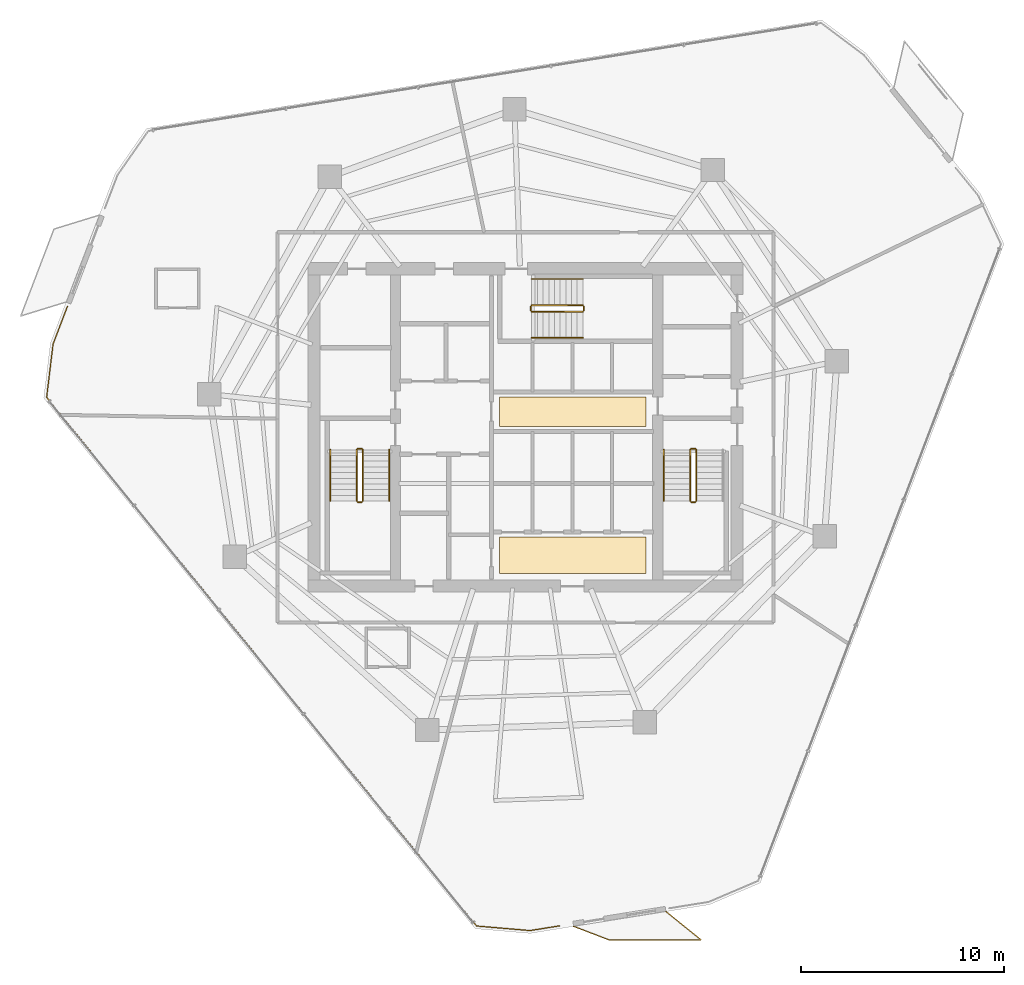
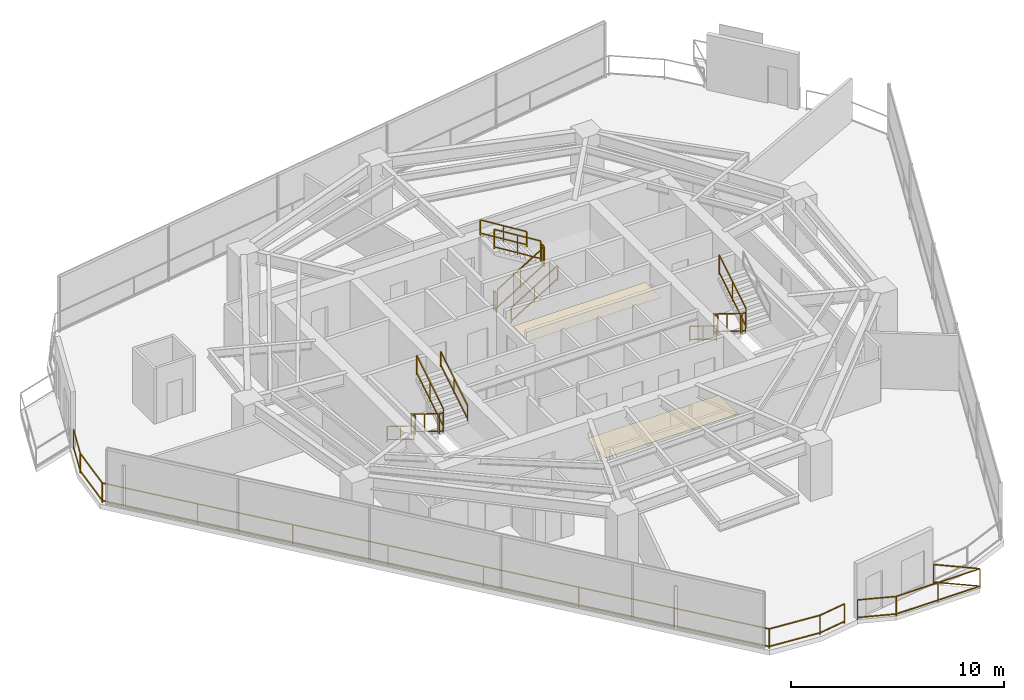
# One storey, part 26 of 27: 19 railings, 2 coverings.
"""IFC4 building model written with IfcOpenShell, lengths in metres."""

from ifc_helpers import new_model, si_unit, direction, frame, origin, origin_2d, place, context, subcontext, project, spatial, rectangle, extrude, material, layer, layer_set, type_object, element, save


model = new_model("IFC4")

# Units and contexts
model_context = context("Model", 3, precision=1e-05, world=origin(), true_north=direction((0.0, 1.0)))
body_context = subcontext(model_context, "Body", "Model", "MODEL_VIEW")
ifc_project = project(units=[si_unit("LENGTHUNIT", "METRE"), si_unit("AREAUNIT", "SQUARE_METRE"), si_unit("VOLUMEUNIT", "CUBIC_METRE"), si_unit("PLANEANGLEUNIT", "RADIAN"), si_unit("MASSUNIT", "GRAM", prefix="KILO")], contexts=[model_context])

# Site, building, storey
site_placement = place(None, origin())
site = spatial("IfcSite", under=ifc_project, at=site_placement, CompositionType="ELEMENT")
building_placement = place(site_placement, origin())
building = spatial("IfcBuilding", under=site, at=building_placement, Name="Qarnah Convention Tower", CompositionType="ELEMENT")
storey_placement = place(building_placement, frame((0.0, 0.0, 100.5)))
storey = spatial("IfcBuildingStorey", under=building, at=storey_placement, Name="L26", CompositionType="ELEMENT", Elevation=100.5)

# Coverings
ifc_material_1 = material(Name="Mineral fibre acoustic ceiling")
ifc_layer_1 = layer(ifc_material_1, 0.02001953125)
ifc_layer_set_1 = layer_set([ifc_layer_1], Name="Mineral fibre acoustic ceiling")
covering_type_1 = type_object("IfcCoveringType", Name="COV-CEIL-20", PredefinedType="CEILING", material=ifc_layer_set_1)
covering_1_placement = place(storey_placement, frame((39.52001953125, 27.179931640625, 2.2900390625), z_axis=(0.0, 0.0, 1.0), x_axis=(1.0, 0.0, 0.0)))
element("IfcCovering", 1, at=covering_1_placement, inside=storey, type_object=covering_type_1, Name="L26 lift lobby acoustic ceiling", PredefinedType="CEILING", context=body_context, shape_type="SweptSolid", body=[
    extrude(rectangle(XDim=7.199951171875, YDim=1.449951171875, at=origin_2d()), origin(), (0.0, 0.0, 1.0), 0.02001953125),
])
ifc_material_2 = material(Name="Porcelain stone floor tile", Category="masonry")
ifc_layer_2 = layer(ifc_material_2, 0.02001953125)
ifc_layer_set_2 = layer_set([ifc_layer_2], Name="Porcelain stone floor tile")
covering_type_2 = type_object("IfcCoveringType", Name="COV-FLOOR-20", PredefinedType="FLOORING", material=ifc_layer_set_2)
covering_2_placement = place(storey_placement, frame((39.52001953125, 20.1201171875, 0.0), z_axis=(0.0, 0.0, 1.0), x_axis=(1.0, 0.0, 0.0)))
element("IfcCovering", 2, at=covering_2_placement, inside=storey, type_object=covering_type_2, Name="L26 lift lobby porcelain stone flooring", PredefinedType="FLOORING", context=body_context, shape_type="SweptSolid", body=[
    extrude(rectangle(XDim=7.199951171875, YDim=1.800048828125, at=origin_2d()), origin(), (0.0, 0.0, 1.0), 0.02001953125),
])

# Railings
ifc_material_3 = material(Name="Black anodised aluminium", Category="aluminium")
railing_type_1 = type_object("IfcRailingType", Name="RL-EXT-GUARD-1150", PredefinedType="GUARDRAIL", material=ifc_material_3)
railing_1_placement = place(storey_placement, frame((38.87890625, 1.886962890625, 0.0)))
element("IfcRailing", 3, at=railing_1_placement, inside=storey, type_object=railing_type_1, Name="L26 slab-edge perimeter safety guard 03", PredefinedType="GUARDRAIL", context=body_context, shape_type="SweptSolid", body=[
    extrude(rectangle(XDim=0.048095703125, YDim=0.048095703125, at=origin_2d()), frame((0.0, 0.0, 1.1259765625), z_axis=(-0.987393158931, -0.158286922064, 0.0), x_axis=(0.158286922064, -0.987393158931, 0.0)), (0.0, 0.0, 1.0), 1.4775390625),
    extrude(rectangle(XDim=0.048095703125, YDim=0.048095703125, at=origin_2d()), frame((0.0, 0.0, 0.1201171875), z_axis=(-0.987393158931, -0.158286922064, 0.0), x_axis=(0.158286922064, -0.987393158931, 0.0)), (0.0, 0.0, 1.0), 1.4775390625),
    extrude(rectangle(XDim=0.048095703125, YDim=0.048095703125, at=origin_2d()), frame((-1.458984375, -0.23388671875, 1.1259765625), z_axis=(-0.99638817856, 0.084915237894, 0.0), x_axis=(-0.084915237894, -0.99638817856, 0.0)), (0.0, 0.0, 1.0), 2.636474609375),
    extrude(rectangle(XDim=0.048095703125, YDim=0.048095703125, at=origin_2d()), frame((-1.458984375, -0.23388671875, 0.1201171875), z_axis=(-0.99638817856, 0.084915237894, 0.0), x_axis=(-0.084915237894, -0.99638817856, 0.0)), (0.0, 0.0, 1.0), 2.636474609375),
    extrude(rectangle(XDim=0.048095703125, YDim=0.048095703125, at=origin_2d()), frame((-4.0859375, -0.010009765625, 1.1259765625), z_axis=(-0.630933393991, 0.775837001146, 0.0), x_axis=(-0.775837001146, -0.630933393991, 0.0)), (0.0, 0.0, 1.0), 33.52001953125),
    extrude(rectangle(XDim=0.048095703125, YDim=0.048095703125, at=origin_2d()), frame((-4.0859375, -0.010009765625, 0.1201171875), z_axis=(-0.630933393991, 0.775837001146, 0.0), x_axis=(-0.775837001146, -0.630933393991, 0.0)), (0.0, 0.0, 1.0), 33.52001953125),
    extrude(rectangle(XDim=0.048095703125, YDim=0.048095703125, at=origin_2d()), frame((-25.23486328125, 25.99609375, 1.1259765625), z_axis=(0.119850065515, 0.99279200329, 0.0), x_axis=(-0.99279200329, 0.119850065515, 0.0)), (0.0, 0.0, 1.0), 2.635986328125),
    extrude(rectangle(XDim=0.048095703125, YDim=0.048095703125, at=origin_2d()), frame((-25.23486328125, 25.99609375, 0.1201171875), z_axis=(0.119850065515, 0.99279200329, 0.0), x_axis=(-0.99279200329, 0.119850065515, 0.0)), (0.0, 0.0, 1.0), 2.635986328125),
    extrude(rectangle(XDim=0.048095703125, YDim=0.048095703125, at=origin_2d()), frame((-24.9189453125, 28.613037109375, 1.1259765625), z_axis=(0.356221315517, 0.934401612997, 0.0), x_axis=(-0.934401612997, 0.356221315517, 0.0)), (0.0, 0.0, 1.0), 1.9765625),
    extrude(rectangle(XDim=0.048095703125, YDim=0.048095703125, at=origin_2d()), frame((-24.9189453125, 28.613037109375, 0.1201171875), z_axis=(0.356221315517, 0.934401612997, 0.0), x_axis=(-0.934401612997, 0.356221315517, 0.0)), (0.0, 0.0, 1.0), 1.9765625),
    extrude(rectangle(XDim=0.0419921875, YDim=0.0419921875, at=origin_2d()), origin(), (0.0, 0.0, 1.0), 1.101806640625),
    extrude(rectangle(XDim=0.0419921875, YDim=0.0419921875, at=origin_2d()), frame((-1.458984375, -0.23388671875, 0.0)), (0.0, 0.0, 1.0), 1.101806640625),
    extrude(rectangle(XDim=0.0419921875, YDim=0.0419921875, at=origin_2d()), frame((-4.0859375, -0.010009765625, 0.0)), (0.0, 0.0, 1.0), 1.101806640625),
    extrude(rectangle(XDim=0.0419921875, YDim=0.0419921875, at=origin_2d()), frame((-7.107177734375, 3.705078125, 0.0)), (0.0, 0.0, 1.0), 1.101806640625),
    extrude(rectangle(XDim=0.0419921875, YDim=0.0419921875, at=origin_2d()), frame((-10.12841796875, 7.42041015625, 0.0)), (0.0, 0.0, 1.0), 1.101806640625),
    extrude(rectangle(XDim=0.0419921875, YDim=0.0419921875, at=origin_2d()), frame((-13.149658203125, 11.135498046875, 0.0)), (0.0, 0.0, 1.0), 1.101806640625),
    extrude(rectangle(XDim=0.0419921875, YDim=0.0419921875, at=origin_2d()), frame((-16.171142578125, 14.8505859375, 0.0)), (0.0, 0.0, 1.0), 1.101806640625),
    extrude(rectangle(XDim=0.0419921875, YDim=0.0419921875, at=origin_2d()), frame((-19.1923828125, 18.565673828125, 0.0)), (0.0, 0.0, 1.0), 1.101806640625),
    extrude(rectangle(XDim=0.0419921875, YDim=0.0419921875, at=origin_2d()), frame((-22.213623046875, 22.281005859375, 0.0)), (0.0, 0.0, 1.0), 1.101806640625),
    extrude(rectangle(XDim=0.0419921875, YDim=0.0419921875, at=origin_2d()), frame((-25.23486328125, 25.99609375, 0.0)), (0.0, 0.0, 1.0), 1.101806640625),
    extrude(rectangle(XDim=0.0419921875, YDim=0.0419921875, at=origin_2d()), frame((-24.9189453125, 28.613037109375, 0.0)), (0.0, 0.0, 1.0), 1.101806640625),
    extrude(rectangle(XDim=0.0419921875, YDim=0.0419921875, at=origin_2d()), frame((-24.21484375, 30.4599609375, 0.0)), (0.0, 0.0, 1.0), 1.101806640625),
])
railing_2_placement = place(storey_placement, frame((44.10595703125, 2.590087890625, 0.0)))
element("IfcRailing", 4, at=railing_2_placement, inside=storey, type_object=railing_type_1, Name="L26 balcony safety guard BAL-L26-C3", PredefinedType="GUARDRAIL", context=body_context, shape_type="SweptSolid", body=[
    extrude(rectangle(XDim=0.048095703125, YDim=0.048095703125, at=origin_2d()), frame((0.0, 0.0, 1.1259765625), z_axis=(0.77791005784, -0.628375637586, 0.0), x_axis=(0.628375637586, 0.77791005784, 0.0)), (0.0, 0.0, 1.0), 2.212158203125),
    extrude(rectangle(XDim=0.048095703125, YDim=0.048095703125, at=origin_2d()), frame((0.0, 0.0, 0.1201171875), z_axis=(0.77791005784, -0.628375637586, 0.0), x_axis=(0.628375637586, 0.77791005784, 0.0)), (0.0, 0.0, 1.0), 2.212158203125),
    extrude(rectangle(XDim=0.048095703125, YDim=0.048095703125, at=origin_2d()), frame((1.720947265625, -1.39013671875, 1.1259765625), z_axis=(-1.0, 0.0, 0.0), x_axis=(0.0, -1.0, 0.0)), (0.0, 0.0, 1.0), 4.5419921875),
    extrude(rectangle(XDim=0.048095703125, YDim=0.048095703125, at=origin_2d()), frame((1.720947265625, -1.39013671875, 0.1201171875), z_axis=(-1.0, 0.0, 0.0), x_axis=(0.0, -1.0, 0.0)), (0.0, 0.0, 1.0), 4.5419921875),
    extrude(rectangle(XDim=0.048095703125, YDim=0.048095703125, at=origin_2d()), frame((-2.821044921875, -1.39013671875, 1.1259765625), z_axis=(-0.933662719265, 0.358153495942, 0.0), x_axis=(-0.358153495942, -0.933662719265, 0.0)), (0.0, 0.0, 1.0), 1.84326171875),
    extrude(rectangle(XDim=0.048095703125, YDim=0.048095703125, at=origin_2d()), frame((-2.821044921875, -1.39013671875, 0.1201171875), z_axis=(-0.933662719265, 0.358153495942, 0.0), x_axis=(-0.358153495942, -0.933662719265, 0.0)), (0.0, 0.0, 1.0), 1.84326171875),
    extrude(rectangle(XDim=0.0419921875, YDim=0.0419921875, at=origin_2d()), origin(), (0.0, 0.0, 1.0), 1.101806640625),
    extrude(rectangle(XDim=0.0419921875, YDim=0.0419921875, at=origin_2d()), frame((1.720947265625, -1.39013671875, 0.0)), (0.0, 0.0, 1.0), 1.101806640625),
    extrude(rectangle(XDim=0.0419921875, YDim=0.0419921875, at=origin_2d()), frame((-0.550048828125, -1.39013671875, 0.0)), (0.0, 0.0, 1.0), 1.101806640625),
    extrude(rectangle(XDim=0.0419921875, YDim=0.0419921875, at=origin_2d()), frame((-2.821044921875, -1.39013671875, 0.0)), (0.0, 0.0, 1.0), 1.101806640625),
    extrude(rectangle(XDim=0.0419921875, YDim=0.0419921875, at=origin_2d()), frame((-4.5419921875, -0.72998046875, 0.0)), (0.0, 0.0, 1.0), 1.101806640625),
])
ifc_material_4 = material(Name="Structural steel S355JR", Category="steel")
railing_type_2 = type_object("IfcRailingType", Name="RL-STAIR-GUARD-1150", PredefinedType="GUARDRAIL", material=ifc_material_4)
railing_3_placement = place(storey_placement, frame((28.89990234375, 25.300048828125, 0.172607421875)))
element("IfcRailing", 5, at=railing_3_placement, inside=storey, type_object=railing_type_2, Name="L26 ST-1 stair guard 1", PredefinedType="GUARDRAIL", context=body_context, shape_type="SweptSolid", body=[
    extrude(rectangle(XDim=0.048095703125, YDim=0.048095703125, at=origin_2d()), frame((0.0, 0.0, 1.1259765625), z_axis=(0.0, -0.851400495292, 0.524516154772), x_axis=(1.0, 0.0, 0.0)), (0.0, 0.0, 1.0), 2.9599609375),
    extrude(rectangle(XDim=0.048095703125, YDim=0.048095703125, at=origin_2d()), frame((0.0, 0.0, 0.1201171875), z_axis=(0.0, -0.851400495292, 0.524516154772), x_axis=(1.0, 0.0, 0.0)), (0.0, 0.0, 1.0), 2.9599609375),
    extrude(rectangle(XDim=0.0419921875, YDim=0.0419921875, at=origin_2d()), origin(), (0.0, 0.0, 1.0), 1.101806640625),
    extrude(rectangle(XDim=0.0419921875, YDim=0.0419921875, at=origin_2d()), frame((0.0, -1.260009765625, 0.7763671875)), (0.0, 0.0, 1.0), 1.101806640625),
    extrude(rectangle(XDim=0.0419921875, YDim=0.0419921875, at=origin_2d()), frame((0.0, -2.52001953125, 1.552490234375)), (0.0, 0.0, 1.0), 1.101806640625),
])
railing_4_placement = place(storey_placement, frame((28.949951171875, 22.72998046875, 1.72509765625)))
element("IfcRailing", 6, at=railing_4_placement, inside=storey, type_object=railing_type_2, Name="L26 ST-1 stair guard 2", PredefinedType="GUARDRAIL", context=body_context, shape_type="SweptSolid", body=[
    extrude(rectangle(XDim=0.048095703125, YDim=0.048095703125, at=origin_2d()), frame((0.0, 0.0, 1.1259765625), z_axis=(1.0, 0.0, 0.0), x_axis=(0.0, 1.0, 0.0)), (0.0, 0.0, 1.0), 0.199951171875),
    extrude(rectangle(XDim=0.048095703125, YDim=0.048095703125, at=origin_2d()), frame((0.0, 0.0, 0.1201171875), z_axis=(1.0, 0.0, 0.0), x_axis=(0.0, 1.0, 0.0)), (0.0, 0.0, 1.0), 0.199951171875),
    extrude(rectangle(XDim=0.0419921875, YDim=0.0419921875, at=origin_2d()), origin(), (0.0, 0.0, 1.0), 1.101806640625),
    extrude(rectangle(XDim=0.0419921875, YDim=0.0419921875, at=origin_2d()), frame((0.199951171875, 0.0, 0.0)), (0.0, 0.0, 1.0), 1.101806640625),
])
railing_5_placement = place(storey_placement, frame((29.199951171875, 22.780029296875, 1.8974609375)))
element("IfcRailing", 7, at=railing_5_placement, inside=storey, type_object=railing_type_2, Name="L26 ST-1 stair guard 3", PredefinedType="GUARDRAIL", context=body_context, shape_type="SweptSolid", body=[
    extrude(rectangle(XDim=0.048095703125, YDim=0.048095703125, at=origin_2d()), frame((0.0, 0.0, 1.1259765625), z_axis=(0.0, 0.851400495292, 0.524516154772), x_axis=(-1.0, 0.0, 0.0)), (0.0, 0.0, 1.0), 2.9599609375),
    extrude(rectangle(XDim=0.048095703125, YDim=0.048095703125, at=origin_2d()), frame((0.0, 0.0, 0.1201171875), z_axis=(0.0, 0.851400495292, 0.524516154772), x_axis=(-1.0, 0.0, 0.0)), (0.0, 0.0, 1.0), 2.9599609375),
    extrude(rectangle(XDim=0.0419921875, YDim=0.0419921875, at=origin_2d()), origin(), (0.0, 0.0, 1.0), 1.101806640625),
    extrude(rectangle(XDim=0.0419921875, YDim=0.0419921875, at=origin_2d()), frame((0.0, 1.260009765625, 0.7763671875)), (0.0, 0.0, 1.0), 1.101806640625),
    extrude(rectangle(XDim=0.0419921875, YDim=0.0419921875, at=origin_2d()), frame((0.0, 2.52001953125, 1.552490234375)), (0.0, 0.0, 1.0), 1.101806640625),
])
railing_6_placement = place(storey_placement, frame((28.949951171875, 25.35009765625, 0.0)))
element("IfcRailing", 8, at=railing_6_placement, inside=storey, type_object=railing_type_2, Name="L26 ST-1 stair guard 4", PredefinedType="GUARDRAIL", context=body_context, shape_type="SweptSolid", body=[
    extrude(rectangle(XDim=0.048095703125, YDim=0.048095703125, at=origin_2d()), frame((0.0, 0.0, 1.1259765625), z_axis=(1.0, 0.0, 0.0), x_axis=(0.0, 1.0, 0.0)), (0.0, 0.0, 1.0), 0.199951171875),
    extrude(rectangle(XDim=0.048095703125, YDim=0.048095703125, at=origin_2d()), frame((0.0, 0.0, 0.1201171875), z_axis=(1.0, 0.0, 0.0), x_axis=(0.0, 1.0, 0.0)), (0.0, 0.0, 1.0), 0.199951171875),
    extrude(rectangle(XDim=0.0419921875, YDim=0.0419921875, at=origin_2d()), origin(), (0.0, 0.0, 1.0), 1.101806640625),
    extrude(rectangle(XDim=0.0419921875, YDim=0.0419921875, at=origin_2d()), frame((0.199951171875, 0.0, 0.0)), (0.0, 0.0, 1.0), 1.101806640625),
])
railing_7_placement = place(storey_placement, frame((45.300048828125, 25.300048828125, 0.172607421875)))
element("IfcRailing", 9, at=railing_7_placement, inside=storey, type_object=railing_type_2, Name="L26 ST-2 stair guard 1", PredefinedType="GUARDRAIL", context=body_context, shape_type="SweptSolid", body=[
    extrude(rectangle(XDim=0.048095703125, YDim=0.048095703125, at=origin_2d()), frame((0.0, 0.0, 1.1259765625), z_axis=(0.0, -0.851400495292, 0.524516154772), x_axis=(1.0, 0.0, 0.0)), (0.0, 0.0, 1.0), 2.9599609375),
    extrude(rectangle(XDim=0.048095703125, YDim=0.048095703125, at=origin_2d()), frame((0.0, 0.0, 0.1201171875), z_axis=(0.0, -0.851400495292, 0.524516154772), x_axis=(1.0, 0.0, 0.0)), (0.0, 0.0, 1.0), 2.9599609375),
    extrude(rectangle(XDim=0.0419921875, YDim=0.0419921875, at=origin_2d()), origin(), (0.0, 0.0, 1.0), 1.101806640625),
    extrude(rectangle(XDim=0.0419921875, YDim=0.0419921875, at=origin_2d()), frame((0.0, -1.260009765625, 0.7763671875)), (0.0, 0.0, 1.0), 1.101806640625),
    extrude(rectangle(XDim=0.0419921875, YDim=0.0419921875, at=origin_2d()), frame((0.0, -2.52001953125, 1.552490234375)), (0.0, 0.0, 1.0), 1.101806640625),
])
railing_8_placement = place(storey_placement, frame((45.35009765625, 22.72998046875, 1.72509765625)))
element("IfcRailing", 10, at=railing_8_placement, inside=storey, type_object=railing_type_2, Name="L26 ST-2 stair guard 2", PredefinedType="GUARDRAIL", context=body_context, shape_type="SweptSolid", body=[
    extrude(rectangle(XDim=0.048095703125, YDim=0.048095703125, at=origin_2d()), frame((0.0, 0.0, 1.1259765625), z_axis=(1.0, 0.0, 0.0), x_axis=(0.0, 1.0, 0.0)), (0.0, 0.0, 1.0), 0.199951171875),
    extrude(rectangle(XDim=0.048095703125, YDim=0.048095703125, at=origin_2d()), frame((0.0, 0.0, 0.1201171875), z_axis=(1.0, 0.0, 0.0), x_axis=(0.0, 1.0, 0.0)), (0.0, 0.0, 1.0), 0.199951171875),
    extrude(rectangle(XDim=0.0419921875, YDim=0.0419921875, at=origin_2d()), origin(), (0.0, 0.0, 1.0), 1.101806640625),
    extrude(rectangle(XDim=0.0419921875, YDim=0.0419921875, at=origin_2d()), frame((0.199951171875, 0.0, 0.0)), (0.0, 0.0, 1.0), 1.101806640625),
])
railing_9_placement = place(storey_placement, frame((45.60009765625, 22.780029296875, 1.8974609375)))
element("IfcRailing", 11, at=railing_9_placement, inside=storey, type_object=railing_type_2, Name="L26 ST-2 stair guard 3", PredefinedType="GUARDRAIL", context=body_context, shape_type="SweptSolid", body=[
    extrude(rectangle(XDim=0.048095703125, YDim=0.048095703125, at=origin_2d()), frame((0.0, 0.0, 1.1259765625), z_axis=(0.0, 0.851400495292, 0.524516154772), x_axis=(-1.0, 0.0, 0.0)), (0.0, 0.0, 1.0), 2.9599609375),
    extrude(rectangle(XDim=0.048095703125, YDim=0.048095703125, at=origin_2d()), frame((0.0, 0.0, 0.1201171875), z_axis=(0.0, 0.851400495292, 0.524516154772), x_axis=(-1.0, 0.0, 0.0)), (0.0, 0.0, 1.0), 2.9599609375),
    extrude(rectangle(XDim=0.0419921875, YDim=0.0419921875, at=origin_2d()), origin(), (0.0, 0.0, 1.0), 1.101806640625),
    extrude(rectangle(XDim=0.0419921875, YDim=0.0419921875, at=origin_2d()), frame((0.0, 1.260009765625, 0.7763671875)), (0.0, 0.0, 1.0), 1.101806640625),
    extrude(rectangle(XDim=0.0419921875, YDim=0.0419921875, at=origin_2d()), frame((0.0, 2.52001953125, 1.552490234375)), (0.0, 0.0, 1.0), 1.101806640625),
])
railing_10_placement = place(storey_placement, frame((45.35009765625, 25.35009765625, 0.0)))
element("IfcRailing", 12, at=railing_10_placement, inside=storey, type_object=railing_type_2, Name="L26 ST-2 stair guard 4", PredefinedType="GUARDRAIL", context=body_context, shape_type="SweptSolid", body=[
    extrude(rectangle(XDim=0.048095703125, YDim=0.048095703125, at=origin_2d()), frame((0.0, 0.0, 1.1259765625), z_axis=(1.0, 0.0, 0.0), x_axis=(0.0, 1.0, 0.0)), (0.0, 0.0, 1.0), 0.199951171875),
    extrude(rectangle(XDim=0.048095703125, YDim=0.048095703125, at=origin_2d()), frame((0.0, 0.0, 0.1201171875), z_axis=(1.0, 0.0, 0.0), x_axis=(0.0, 1.0, 0.0)), (0.0, 0.0, 1.0), 0.199951171875),
    extrude(rectangle(XDim=0.0419921875, YDim=0.0419921875, at=origin_2d()), origin(), (0.0, 0.0, 1.0), 1.101806640625),
    extrude(rectangle(XDim=0.0419921875, YDim=0.0419921875, at=origin_2d()), frame((0.199951171875, 0.0, 0.0)), (0.0, 0.0, 1.0), 1.101806640625),
])
railing_11_placement = place(storey_placement, frame((37.5, 32.10009765625, 0.172607421875)))
element("IfcRailing", 13, at=railing_11_placement, inside=storey, type_object=railing_type_2, Name="L26 ST-3 stair guard 1", PredefinedType="GUARDRAIL", context=body_context, shape_type="SweptSolid", body=[
    extrude(rectangle(XDim=0.048095703125, YDim=0.048095703125, at=origin_2d()), frame((0.0, 0.0, 1.1259765625), z_axis=(0.851400495292, 0.0, 0.524516154772), x_axis=(0.0, 1.0, 0.0)), (0.0, 0.0, 1.0), 2.9599609375),
    extrude(rectangle(XDim=0.048095703125, YDim=0.048095703125, at=origin_2d()), frame((0.0, 0.0, 0.1201171875), z_axis=(0.851400495292, 0.0, 0.524516154772), x_axis=(0.0, 1.0, 0.0)), (0.0, 0.0, 1.0), 2.9599609375),
    extrude(rectangle(XDim=0.0419921875, YDim=0.0419921875, at=origin_2d()), origin(), (0.0, 0.0, 1.0), 1.101806640625),
    extrude(rectangle(XDim=0.0419921875, YDim=0.0419921875, at=origin_2d()), frame((1.260009765625, 0.0, 0.7763671875)), (0.0, 0.0, 1.0), 1.101806640625),
    extrude(rectangle(XDim=0.0419921875, YDim=0.0419921875, at=origin_2d()), frame((2.52001953125, 0.0, 1.552490234375)), (0.0, 0.0, 1.0), 1.101806640625),
])
railing_12_placement = place(storey_placement, frame((40.070068359375, 32.14990234375, 1.72509765625)))
element("IfcRailing", 14, at=railing_12_placement, inside=storey, type_object=railing_type_2, Name="L26 ST-3 stair guard 2", PredefinedType="GUARDRAIL", context=body_context, shape_type="SweptSolid", body=[
    extrude(rectangle(XDim=0.048095703125, YDim=0.048095703125, at=origin_2d()), frame((0.0, 0.0, 1.1259765625), z_axis=(0.0, 1.0, 0.0), x_axis=(-1.0, 0.0, 0.0)), (0.0, 0.0, 1.0), 0.2001953125),
    extrude(rectangle(XDim=0.048095703125, YDim=0.048095703125, at=origin_2d()), frame((0.0, 0.0, 0.1201171875), z_axis=(0.0, 1.0, 0.0), x_axis=(-1.0, 0.0, 0.0)), (0.0, 0.0, 1.0), 0.2001953125),
    extrude(rectangle(XDim=0.0419921875, YDim=0.0419921875, at=origin_2d()), origin(), (0.0, 0.0, 1.0), 1.101806640625),
    extrude(rectangle(XDim=0.0419921875, YDim=0.0419921875, at=origin_2d()), frame((0.0, 0.2001953125, 0.0)), (0.0, 0.0, 1.0), 1.101806640625),
])
railing_13_placement = place(storey_placement, frame((40.02001953125, 32.39990234375, 1.8974609375)))
element("IfcRailing", 15, at=railing_13_placement, inside=storey, type_object=railing_type_2, Name="L26 ST-3 stair guard 3", PredefinedType="GUARDRAIL", context=body_context, shape_type="SweptSolid", body=[
    extrude(rectangle(XDim=0.048095703125, YDim=0.048095703125, at=origin_2d()), frame((0.0, 0.0, 1.1259765625), z_axis=(-0.851400495292, 0.0, 0.524516154772), x_axis=(0.0, -1.0, 0.0)), (0.0, 0.0, 1.0), 2.9599609375),
    extrude(rectangle(XDim=0.048095703125, YDim=0.048095703125, at=origin_2d()), frame((0.0, 0.0, 0.1201171875), z_axis=(-0.851400495292, 0.0, 0.524516154772), x_axis=(0.0, -1.0, 0.0)), (0.0, 0.0, 1.0), 2.9599609375),
    extrude(rectangle(XDim=0.0419921875, YDim=0.0419921875, at=origin_2d()), origin(), (0.0, 0.0, 1.0), 1.101806640625),
    extrude(rectangle(XDim=0.0419921875, YDim=0.0419921875, at=origin_2d()), frame((-1.260009765625, 0.0, 0.7763671875)), (0.0, 0.0, 1.0), 1.101806640625),
    extrude(rectangle(XDim=0.0419921875, YDim=0.0419921875, at=origin_2d()), frame((-2.52001953125, 0.0, 1.552490234375)), (0.0, 0.0, 1.0), 1.101806640625),
])
railing_14_placement = place(storey_placement, frame((37.449951171875, 32.14990234375, 0.0)))
element("IfcRailing", 16, at=railing_14_placement, inside=storey, type_object=railing_type_2, Name="L26 ST-3 stair guard 4", PredefinedType="GUARDRAIL", context=body_context, shape_type="SweptSolid", body=[
    extrude(rectangle(XDim=0.048095703125, YDim=0.048095703125, at=origin_2d()), frame((0.0, 0.0, 1.1259765625), z_axis=(0.0, 1.0, 0.0), x_axis=(-1.0, 0.0, 0.0)), (0.0, 0.0, 1.0), 0.2001953125),
    extrude(rectangle(XDim=0.048095703125, YDim=0.048095703125, at=origin_2d()), frame((0.0, 0.0, 0.1201171875), z_axis=(0.0, 1.0, 0.0), x_axis=(-1.0, 0.0, 0.0)), (0.0, 0.0, 1.0), 0.2001953125),
    extrude(rectangle(XDim=0.0419921875, YDim=0.0419921875, at=origin_2d()), origin(), (0.0, 0.0, 1.0), 1.101806640625),
    extrude(rectangle(XDim=0.0419921875, YDim=0.0419921875, at=origin_2d()), frame((0.0, 0.2001953125, 0.0)), (0.0, 0.0, 1.0), 1.101806640625),
])
railing_type_3 = type_object("IfcRailingType", Name="RL-STAIR-HAND-900", PredefinedType="HANDRAIL", material=ifc_material_4)
railing_15_placement = place(storey_placement, frame((27.60009765625, 25.300048828125, 0.172607421875)))
element("IfcRailing", 17, at=railing_15_placement, inside=storey, type_object=railing_type_3, Name="L26 ST-1 stair handrail 1", PredefinedType="HANDRAIL", context=body_context, shape_type="SweptSolid", body=[
    extrude(rectangle(XDim=0.048095703125, YDim=0.048095703125, at=origin_2d()), frame((0.0, 0.0, 0.8759765625), z_axis=(0.0, -0.851400495292, 0.524516154772), x_axis=(1.0, 0.0, 0.0)), (0.0, 0.0, 1.0), 2.9599609375),
    extrude(rectangle(XDim=0.048095703125, YDim=0.048095703125, at=origin_2d()), frame((0.0, 0.0, 0.1201171875), z_axis=(0.0, -0.851400495292, 0.524516154772), x_axis=(1.0, 0.0, 0.0)), (0.0, 0.0, 1.0), 2.9599609375),
    extrude(rectangle(XDim=0.0419921875, YDim=0.0419921875, at=origin_2d()), origin(), (0.0, 0.0, 1.0), 0.851806640625),
    extrude(rectangle(XDim=0.0419921875, YDim=0.0419921875, at=origin_2d()), frame((0.0, -1.260009765625, 0.7763671875)), (0.0, 0.0, 1.0), 0.851806640625),
    extrude(rectangle(XDim=0.0419921875, YDim=0.0419921875, at=origin_2d()), frame((0.0, -2.52001953125, 1.552490234375)), (0.0, 0.0, 1.0), 0.851806640625),
])
railing_16_placement = place(storey_placement, frame((30.5, 22.780029296875, 1.8974609375)))
element("IfcRailing", 18, at=railing_16_placement, inside=storey, type_object=railing_type_3, Name="L26 ST-1 stair handrail 2", PredefinedType="HANDRAIL", context=body_context, shape_type="SweptSolid", body=[
    extrude(rectangle(XDim=0.048095703125, YDim=0.048095703125, at=origin_2d()), frame((0.0, 0.0, 0.8759765625), z_axis=(0.0, 0.851400495292, 0.524516154772), x_axis=(-1.0, 0.0, 0.0)), (0.0, 0.0, 1.0), 2.9599609375),
    extrude(rectangle(XDim=0.048095703125, YDim=0.048095703125, at=origin_2d()), frame((0.0, 0.0, 0.1201171875), z_axis=(0.0, 0.851400495292, 0.524516154772), x_axis=(-1.0, 0.0, 0.0)), (0.0, 0.0, 1.0), 2.9599609375),
    extrude(rectangle(XDim=0.0419921875, YDim=0.0419921875, at=origin_2d()), origin(), (0.0, 0.0, 1.0), 0.851806640625),
    extrude(rectangle(XDim=0.0419921875, YDim=0.0419921875, at=origin_2d()), frame((0.0, 1.260009765625, 0.7763671875)), (0.0, 0.0, 1.0), 0.851806640625),
    extrude(rectangle(XDim=0.0419921875, YDim=0.0419921875, at=origin_2d()), frame((0.0, 2.52001953125, 1.552490234375)), (0.0, 0.0, 1.0), 0.851806640625),
])
railing_17_placement = place(storey_placement, frame((44.0, 25.300048828125, 0.172607421875)))
element("IfcRailing", 19, at=railing_17_placement, inside=storey, type_object=railing_type_3, Name="L26 ST-2 stair handrail 1", PredefinedType="HANDRAIL", context=body_context, shape_type="SweptSolid", body=[
    extrude(rectangle(XDim=0.048095703125, YDim=0.048095703125, at=origin_2d()), frame((0.0, 0.0, 0.8759765625), z_axis=(0.0, -0.851400495292, 0.524516154772), x_axis=(1.0, 0.0, 0.0)), (0.0, 0.0, 1.0), 2.9599609375),
    extrude(rectangle(XDim=0.048095703125, YDim=0.048095703125, at=origin_2d()), frame((0.0, 0.0, 0.1201171875), z_axis=(0.0, -0.851400495292, 0.524516154772), x_axis=(1.0, 0.0, 0.0)), (0.0, 0.0, 1.0), 2.9599609375),
    extrude(rectangle(XDim=0.0419921875, YDim=0.0419921875, at=origin_2d()), origin(), (0.0, 0.0, 1.0), 0.851806640625),
    extrude(rectangle(XDim=0.0419921875, YDim=0.0419921875, at=origin_2d()), frame((0.0, -1.260009765625, 0.7763671875)), (0.0, 0.0, 1.0), 0.851806640625),
    extrude(rectangle(XDim=0.0419921875, YDim=0.0419921875, at=origin_2d()), frame((0.0, -2.52001953125, 1.552490234375)), (0.0, 0.0, 1.0), 0.851806640625),
])
railing_18_placement = place(storey_placement, frame((37.5, 30.800048828125, 0.172607421875)))
element("IfcRailing", 20, at=railing_18_placement, inside=storey, type_object=railing_type_3, Name="L26 ST-3 stair handrail 1", PredefinedType="HANDRAIL", context=body_context, shape_type="SweptSolid", body=[
    extrude(rectangle(XDim=0.048095703125, YDim=0.048095703125, at=origin_2d()), frame((0.0, 0.0, 0.8759765625), z_axis=(0.851400495292, 0.0, 0.524516154772), x_axis=(0.0, 1.0, 0.0)), (0.0, 0.0, 1.0), 2.9599609375),
    extrude(rectangle(XDim=0.048095703125, YDim=0.048095703125, at=origin_2d()), frame((0.0, 0.0, 0.1201171875), z_axis=(0.851400495292, 0.0, 0.524516154772), x_axis=(0.0, 1.0, 0.0)), (0.0, 0.0, 1.0), 2.9599609375),
    extrude(rectangle(XDim=0.0419921875, YDim=0.0419921875, at=origin_2d()), origin(), (0.0, 0.0, 1.0), 0.851806640625),
    extrude(rectangle(XDim=0.0419921875, YDim=0.0419921875, at=origin_2d()), frame((1.260009765625, 0.0, 0.7763671875)), (0.0, 0.0, 1.0), 0.851806640625),
    extrude(rectangle(XDim=0.0419921875, YDim=0.0419921875, at=origin_2d()), frame((2.52001953125, 0.0, 1.552490234375)), (0.0, 0.0, 1.0), 0.851806640625),
])
railing_19_placement = place(storey_placement, frame((40.02001953125, 33.699951171875, 1.8974609375)))
element("IfcRailing", 21, at=railing_19_placement, inside=storey, type_object=railing_type_3, Name="L26 ST-3 stair handrail 2", PredefinedType="HANDRAIL", context=body_context, shape_type="SweptSolid", body=[
    extrude(rectangle(XDim=0.048095703125, YDim=0.048095703125, at=origin_2d()), frame((0.0, 0.0, 0.8759765625), z_axis=(-0.851400495292, 0.0, 0.524516154772), x_axis=(0.0, -1.0, 0.0)), (0.0, 0.0, 1.0), 2.9599609375),
    extrude(rectangle(XDim=0.048095703125, YDim=0.048095703125, at=origin_2d()), frame((0.0, 0.0, 0.1201171875), z_axis=(-0.851400495292, 0.0, 0.524516154772), x_axis=(0.0, -1.0, 0.0)), (0.0, 0.0, 1.0), 2.9599609375),
    extrude(rectangle(XDim=0.0419921875, YDim=0.0419921875, at=origin_2d()), origin(), (0.0, 0.0, 1.0), 0.851806640625),
    extrude(rectangle(XDim=0.0419921875, YDim=0.0419921875, at=origin_2d()), frame((-1.260009765625, 0.0, 0.7763671875)), (0.0, 0.0, 1.0), 0.851806640625),
    extrude(rectangle(XDim=0.0419921875, YDim=0.0419921875, at=origin_2d()), frame((-2.52001953125, 0.0, 1.552490234375)), (0.0, 0.0, 1.0), 0.851806640625),
])

save(model, "model.ifc")
